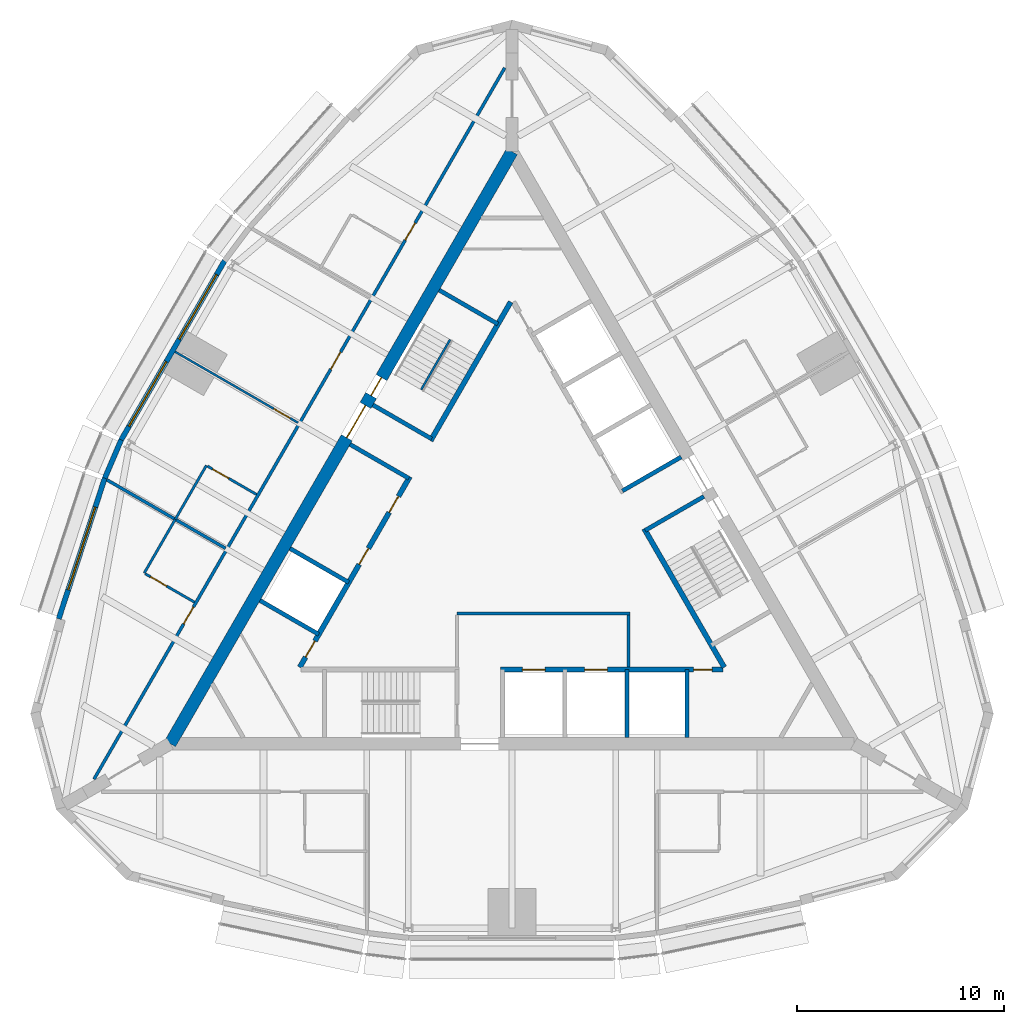
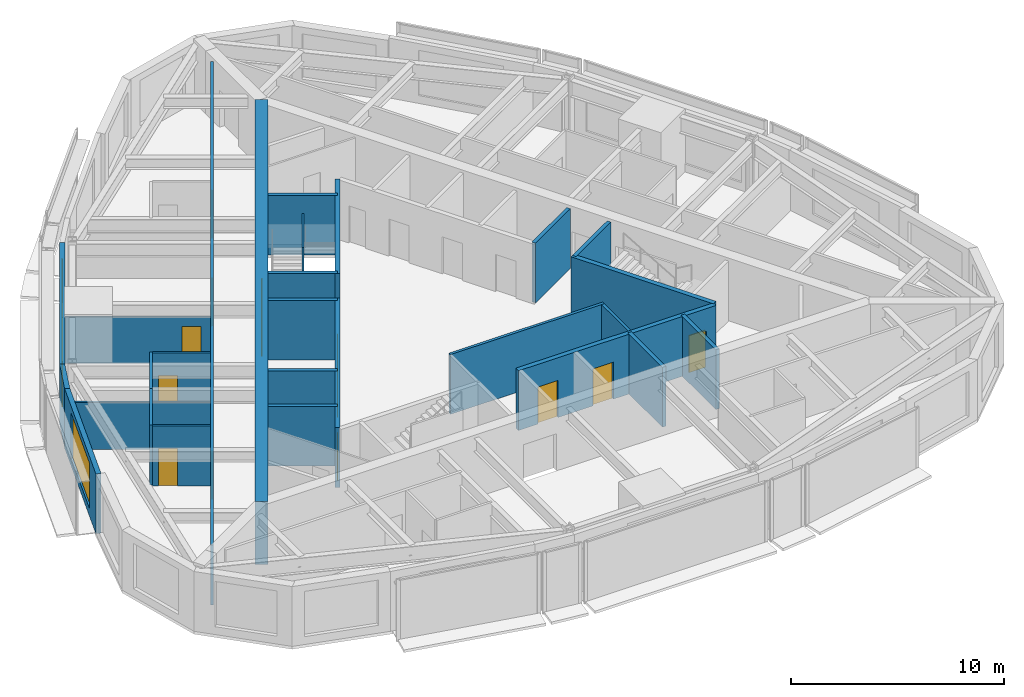
# One storey, part 8 of 12: 27 walls, 14 doors, 3 windows, 17 openings.
"""IFC4 building model written with IfcOpenShell, lengths in metres."""

import ifcopenshell
import ifcopenshell.guid

model = None  # the IFC model being written
_history = None  # IfcOwnerHistory: only IFC2X3 demands one
_inside = {}  # id of a spatial element -> (the spatial element, [elements in it])
_under = {}  # id of a project, library or spatial element -> (it, [spatial elements below it])
_declared = {}  # id of a project -> (the project, [libraries it declares])
_typed = {}  # id of a type object -> (the type object, [elements of that type])
_made_of = {}  # id of a material, layer set ... -> (it, [elements and type objects made of it])


def new_model(schema):
    """Start an empty IFC model of exactly this schema.

    Asked for "IFC4X3", IfcOpenShell would pick the latest addendum, in which some entities
    have other attributes; the version numbers below select the first issue.
    IFC2X3 requires an IfcOwnerHistory on every rooted entity: one is made here for all.
    """
    global model, _history
    if schema == "IFC4X3":
        model = ifcopenshell.file(schema_version=(4, 3, 0, 0))
    else:
        model = ifcopenshell.file(schema=schema)
    _inside.clear()
    _under.clear()
    _declared.clear()
    _typed.clear()
    _made_of.clear()
    _history = None
    if model.schema == "IFC2X3":
        org = make("IfcOrganization", Name="unknown")
        user = make(
            "IfcPersonAndOrganization",
            ThePerson=make("IfcPerson", FamilyName="unknown"),
            TheOrganization=org,
        )
        app = make(
            "IfcApplication",
            ApplicationDeveloper=org,
            Version="unknown",
            ApplicationFullName="unknown",
            ApplicationIdentifier="unknown",
        )
        _history = make(
            "IfcOwnerHistory",
            OwningUser=user,
            OwningApplication=app,
            ChangeAction="ADDED",
            CreationDate=0,
        )
    return model


def make(cls, **values):
    """One entity of the class cls with the attributes given. An attribute that is None is left unset."""
    return model.create_entity(
        cls, **{name: value for name, value in values.items() if value is not None}
    )


def rooted(cls, **values):
    """An entity with a GlobalId (a new one), such as an element, a storey or a relation."""
    return make(cls, GlobalId=ifcopenshell.guid.new(), OwnerHistory=_history, **values)


def si_unit(unit_type, name, prefix=None):
    """IfcSIUnit, for example si_unit("LENGTHUNIT", "METRE", prefix="MILLI")."""
    return make("IfcSIUnit", UnitType=unit_type, Prefix=prefix, Name=name)


def assignment(units):
    """IfcUnitAssignment: the units of a project."""
    return None if units is None else make("IfcUnitAssignment", Units=units)


def point(xyz):
    """IfcCartesianPoint."""
    return None if xyz is None else make("IfcCartesianPoint", Coordinates=xyz)


def direction(xyz):
    """IfcDirection."""
    return None if xyz is None else make("IfcDirection", DirectionRatios=xyz)


def frame(location, z_axis=None, x_axis=None):
    """IfcAxis2Placement3D, a coordinate frame: its origin and axes. An axis left out is left unset."""
    return make(
        "IfcAxis2Placement3D",
        Location=point(location),
        Axis=direction(z_axis),
        RefDirection=direction(x_axis),
    )


def frame_2d(location, x_axis=None):
    """IfcAxis2Placement2D, a coordinate frame in the plane: its origin and x axis."""
    return make(
        "IfcAxis2Placement2D", Location=point(location), RefDirection=direction(x_axis)
    )


def origin():
    """The frame at (0, 0, 0) with its axes left unset."""
    return frame((0.0, 0.0, 0.0))


def place(relative_to, where):
    """IfcLocalPlacement: puts the frame where relative to a parent placement (None: the world)."""
    return make(
        "IfcLocalPlacement", PlacementRelTo=relative_to, RelativePlacement=where
    )


def context(
    kind, dimensions, precision=None, world=None, true_north=None, identifier=None
):
    """IfcGeometricRepresentationContext, for example the 3D "Model" context."""
    return make(
        "IfcGeometricRepresentationContext",
        ContextIdentifier=identifier,
        ContextType=kind,
        CoordinateSpaceDimension=dimensions,
        Precision=precision,
        WorldCoordinateSystem=world,
        TrueNorth=true_north,
    )


def subcontext(parent, identifier, kind, view, scale=None):
    """IfcGeometricRepresentationSubContext, for example "Body" below "Model"."""
    return make(
        "IfcGeometricRepresentationSubContext",
        ContextIdentifier=identifier,
        ContextType=kind,
        ParentContext=parent,
        TargetScale=scale,
        TargetView=view,
    )


def project(units=None, contexts=None):
    """IfcProject with its units and contexts."""
    return rooted(
        "IfcProject",
        Name="project",
        RepresentationContexts=contexts,
        UnitsInContext=assignment(units),
    )


def spatial(cls, under=None, at=None, **own):
    """A site, building, storey or space (cls), placed at a placement, below another one or the project."""
    s = rooted(cls, ObjectPlacement=at, **own)
    if under is not None:
        _under.setdefault(under.id(), (under, []))[1].append(s)
    return s


def profile(cls, at=None, kind="AREA", **sizes):
    """A parametric profile (cls). Its sizes go by their IFC names, for example OverallWidth=200.0."""
    return make(cls, ProfileType=kind, Position=at, **sizes)


def rectangle(**sizes):
    """IfcRectangleProfileDef."""
    return profile("IfcRectangleProfileDef", **sizes)


def extrude(swept, where, along, depth):
    """IfcExtrudedAreaSolid: the profile swept, set in the frame where, extruded along a direction by depth."""
    return make(
        "IfcExtrudedAreaSolid",
        SweptArea=swept,
        Position=where,
        ExtrudedDirection=direction(along),
        Depth=depth,
    )


def shape(context_of_items, identifier, shape_type, items):
    """IfcShapeRepresentation: the items that make up one representation, for example the "Body"."""
    return make(
        "IfcShapeRepresentation",
        ContextOfItems=context_of_items,
        RepresentationIdentifier=identifier,
        RepresentationType=shape_type,
        Items=items,
    )


def material(Name=None, Category=None):
    """IfcMaterial."""
    return make("IfcMaterial", Name=Name, Category=Category)


def layer(
    of_material, thickness, ventilated=None, Name=None, Category=None, Priority=None
):
    """IfcMaterialLayer: one layer of a wall or slab, of a material (None: an air gap)."""
    return make(
        "IfcMaterialLayer",
        Material=of_material,
        LayerThickness=thickness,
        IsVentilated=ventilated,
        Name=Name,
        Category=Category,
        Priority=Priority,
    )


def layer_set(layers, Name=None):
    """IfcMaterialLayerSet."""
    return make("IfcMaterialLayerSet", MaterialLayers=layers, LayerSetName=Name)


def made_of(thing, what):
    """Note that an element or type object is made of a material, layer set ...; save() writes the relation."""
    if what is not None:
        _made_of.setdefault(what.id(), (what, []))[1].append(thing)
    return thing


def type_object(cls, material=None, **own):
    """A type object (cls), such as IfcWallType, which elements share."""
    return made_of(rooted(cls, **own), material)


def element(
    cls,
    number,
    at=None,
    inside=None,
    cuts=None,
    type_object=None,
    material=None,
    context=None,
    identifier="Body",
    shape_type=None,
    held_by="IfcProductDefinitionShape",
    body=None,
    shapes=None,
    **own,
):
    """One element of the class cls, such as IfcWall. Its Tag is "e" and its number.

    at: its placement. inside: the storey or other place that contains it. cuts: it is an
    opening in that element (IfcRelVoidsElement). A single representation is given by context,
    identifier, shape_type and body (its items); several are given by shapes. held_by: the class
    of the entity that holds the representations. save() writes the other relations.
    """
    e = rooted(cls, Tag="e%d" % number, ObjectPlacement=at, **own)
    if body is not None:
        shapes = [shape(context, identifier, shape_type, body)]
    if shapes is not None:
        e.Representation = make(held_by, Representations=shapes)
    if inside is not None:
        _inside.setdefault(inside.id(), (inside, []))[1].append(e)
    if cuts is not None:
        rooted(
            "IfcRelVoidsElement", RelatingBuildingElement=cuts, RelatedOpeningElement=e
        )
    if type_object is not None:
        _typed.setdefault(type_object.id(), (type_object, []))[1].append(e)
    return made_of(e, material)


def fill(opening, filler):
    """IfcRelFillsElement: the door or window that sits in an opening."""
    return rooted(
        "IfcRelFillsElement",
        RelatingOpeningElement=opening,
        RelatedBuildingElement=filler,
    )


def aggregate(whole, parts):
    """IfcRelAggregates: a whole, such as a stair, and the parts it consists of."""
    return rooted("IfcRelAggregates", RelatingObject=whole, RelatedObjects=parts)


def save(model, path):
    """Write the relations noted so far, then the file.

    IfcRelAggregates (storeys below a building ...), IfcRelContainedInSpatialStructure (elements
    in a storey), IfcRelDefinesByType, IfcRelAssociatesMaterial and IfcRelDeclares: one each for
    every whole, place, type object, material and project.
    """
    for whole, parts in _under.values():
        aggregate(whole, parts)
    for where, things in _inside.values():
        rooted(
            "IfcRelContainedInSpatialStructure",
            RelatedElements=things,
            RelatingStructure=where,
        )
    for kind, things in _typed.values():
        rooted("IfcRelDefinesByType", RelatedObjects=things, RelatingType=kind)
    for what, things in _made_of.values():
        rooted("IfcRelAssociatesMaterial", RelatedObjects=things, RelatingMaterial=what)
    for by, libraries in _declared.values():
        rooted("IfcRelDeclares", RelatingContext=by, RelatedDefinitions=libraries)
    model.write(path)


model = new_model("IFC4")

# Units and contexts
model_context = context("Model", 3, precision=1e-05, world=origin(), true_north=direction((0.0, 1.0)))
body_context = subcontext(model_context, "Body", "Model", "MODEL_VIEW")
ifc_project = project(units=[si_unit("LENGTHUNIT", "METRE"), si_unit("AREAUNIT", "SQUARE_METRE"), si_unit("VOLUMEUNIT", "CUBIC_METRE"), si_unit("PLANEANGLEUNIT", "RADIAN"), si_unit("MASSUNIT", "GRAM", prefix="KILO")], contexts=[model_context])

# Site, building, storey
site_placement = place(None, origin())
site = spatial("IfcSite", under=ifc_project, at=site_placement, CompositionType="ELEMENT")
building_placement = place(site_placement, origin())
building = spatial("IfcBuilding", under=site, at=building_placement, Name="Trikona Tower", CompositionType="ELEMENT")
storey_placement = place(building_placement, frame((0.0, 0.0, 250.10009765625)))
storey = spatial("IfcBuildingStorey", under=building, at=storey_placement, Name="L66", CompositionType="ELEMENT", Elevation=250.10009765625)

# Wall
ifc_material_1 = material(Name="Metal stud and cement board", Category="gypsum")
ifc_layer_1 = layer(ifc_material_1, 0.1201171875)
ifc_layer_set_1 = layer_set([ifc_layer_1], Name="Bathroom wall 120")
wall_type_1 = type_object("IfcWallType", Name="Bathroom wall 120", PredefinedType="PLUMBINGWALL", material=ifc_layer_set_1)
wall_1_placement = place(storey_placement, frame((-14.75341796875, 3.89892578125, 0.0), z_axis=(0.0, 0.0, 1.0), x_axis=(-0.50002537861, -0.866010750942, 0.0)))
element("IfcWall", 1, at=wall_1_placement, inside=storey, type_object=wall_type_1, Name="Bathroom wall 6606.1", PredefinedType="PLUMBINGWALL", context=body_context, shape_type="SweptSolid", body=[
    extrude(rectangle(XDim=2.999755859375, YDim=0.1201171875, at=frame_2d((1.5, 0.0))), origin(), (0.0, 0.0, 1.0), 3.434814453125),
])

# Wall, opening, door
wall_2_placement = place(storey_placement, frame((-12.32861328125, 2.4990234375, 0.0), z_axis=(0.0, 0.0, 1.0), x_axis=(-0.866035715982, 0.499982138324, 0.0)))
wall_2 = element("IfcWall", 2, at=wall_2_placement, inside=storey, type_object=wall_type_1, Name="Bathroom wall 6606.1", PredefinedType="PLUMBINGWALL", context=body_context, shape_type="SweptSolid", body=[
    extrude(rectangle(XDim=2.73974609375, YDim=0.1201171875, at=frame_2d((1.369873046875, 0.0))), origin(), (0.0, 0.0, 1.0), 3.434814453125),
])
opening_1_placement = place(wall_2_placement, frame((1.550048828125, 0.0, 0.0)))
opening_1 = element("IfcOpeningElement", 3, at=opening_1_placement, cuts=wall_2, Name="Opening D2", PredefinedType="OPENING", context=body_context, shape_type="SweptSolid", body=[
    extrude(rectangle(XDim=0.89990234375, YDim=2.1298828125, at=frame_2d((0.449951171875, 1.06494140625))), frame((0.0, 0.070068359375, 0.0), z_axis=(0.0, -1.0, 0.0), x_axis=(1.0, 0.0, 0.0)), (0.0, 0.0, 1.0), 0.14013671875),
])
ifc_material_2 = material(Name="Steel door frame with solid-core timber leaf", Category="steel")
door_type_1 = type_object("IfcDoorType", Name="Bathroom door 900x2130", OperationType="SLIDING_TO_LEFT", PredefinedType="DOOR", material=ifc_material_2)
door_1_placement = place(opening_1_placement, origin())
door_1 = element("IfcDoor", 4, at=door_1_placement, inside=storey, type_object=door_type_1, Name="Bathroom door 6606.1", OperationType="SLIDING_TO_LEFT", OverallHeight=2.1298828125, OverallWidth=0.89990234375, PredefinedType="DOOR", context=body_context, shape_type="SweptSolid", body=[
    extrude(rectangle(XDim=0.89990234375, YDim=2.1298828125, at=frame_2d((0.449951171875, 1.06494140625))), frame((0.0, 0.02490234375, 0.0), z_axis=(0.0, -1.0, 0.0), x_axis=(1.0, 0.0, 0.0)), (0.0, 0.0, 1.0), 0.050048828125),
])
fill(opening_1, door_1)

# Wall
wall_3_placement = place(storey_placement, frame((-16.25341796875, 1.301025390625, 0.0), z_axis=(0.0, 0.0, 1.0), x_axis=(-0.499990139034, -0.866031096941, 0.0)))
element("IfcWall", 5, at=wall_3_placement, inside=storey, type_object=wall_type_1, Name="Bathroom wall 6607", PredefinedType="PLUMBINGWALL", context=body_context, shape_type="SweptSolid", body=[
    extrude(rectangle(XDim=3.0, YDim=0.1201171875, at=frame_2d((1.5, 0.0))), origin(), (0.0, 0.0, 1.0), 3.434814453125),
])

# Wall, opening, door
wall_4_placement = place(storey_placement, frame((-15.32861328125, -2.697021484375, 0.0), z_axis=(0.0, 0.0, 1.0), x_axis=(-0.866035715982, 0.499982138324, 0.0)))
wall_4 = element("IfcWall", 6, at=wall_4_placement, inside=storey, type_object=wall_type_1, Name="Bathroom wall 6607", PredefinedType="PLUMBINGWALL", context=body_context, shape_type="SweptSolid", body=[
    extrude(rectangle(XDim=2.73974609375, YDim=0.1201171875, at=frame_2d((1.369873046875, 0.0))), origin(), (0.0, 0.0, 1.0), 3.434814453125),
])
opening_2_placement = place(wall_4_placement, frame((1.550048828125, 0.0, 0.0)))
opening_2 = element("IfcOpeningElement", 7, at=opening_2_placement, cuts=wall_4, Name="Opening D2", PredefinedType="OPENING", context=body_context, shape_type="SweptSolid", body=[
    extrude(rectangle(XDim=0.89990234375, YDim=2.1298828125, at=frame_2d((0.449951171875, 1.06494140625))), frame((0.0, 0.070068359375, 0.0), z_axis=(0.0, -1.0, 0.0), x_axis=(1.0, 0.0, 0.0)), (0.0, 0.0, 1.0), 0.14013671875),
])
door_2_placement = place(opening_2_placement, origin())
door_2 = element("IfcDoor", 8, at=door_2_placement, inside=storey, type_object=door_type_1, Name="Bathroom door 6607", OperationType="SLIDING_TO_LEFT", OverallHeight=2.1298828125, OverallWidth=0.89990234375, PredefinedType="DOOR", context=body_context, shape_type="SweptSolid", body=[
    extrude(rectangle(XDim=0.89990234375, YDim=2.1298828125, at=frame_2d((0.449951171875, 1.06494140625))), frame((0.0, 0.02490234375, 0.0), z_axis=(0.0, -1.0, 0.0), x_axis=(1.0, 0.0, 0.0)), (0.0, 0.0, 1.0), 0.050048828125),
])
fill(opening_2, door_2)

# Wall, openings, doors
ifc_material_3 = material(Name="Concrete f'c 10000 psi", Category="concrete")
ifc_layer_2 = layer(ifc_material_3, 0.60009765625)
ifc_layer_set_2 = layer_set([ifc_layer_2], Name="Core wall 600")
wall_type_2 = type_object("IfcWallType", Name="Core wall 600", PredefinedType="SHEAR", material=ifc_layer_set_2)
wall_5_placement = place(storey_placement, frame((0.0, 19.052490234375, 0.0), z_axis=(0.0, 0.0, 1.0), x_axis=(-0.499999749417, -0.866025548458, 0.0)))
wall_5 = element("IfcWall", 9, at=wall_5_placement, inside=storey, type_object=wall_type_2, Name="Core wall C", PredefinedType="SHEAR", context=body_context, shape_type="SweptSolid", body=[
    extrude(rectangle(XDim=33.0, YDim=0.60009765625, at=frame_2d((16.5, 0.0))), origin(), (0.0, 0.0, 1.0), 3.599853515625),
])
opening_3_placement = place(wall_5_placement, frame((14.14990234375, 0.0, 0.0)))
opening_3 = element("IfcOpeningElement", 10, at=opening_3_placement, cuts=wall_5, Name="Opening D6", PredefinedType="OPENING", context=body_context, shape_type="SweptSolid", body=[
    extrude(rectangle(XDim=1.800048828125, YDim=2.1298828125, at=frame_2d((0.89990234375, 1.06494140625))), frame((0.0, 0.31005859375, 0.0), z_axis=(0.0, -1.0, 0.0), x_axis=(1.0, 0.0, 0.0)), (0.0, 0.0, 1.0), 0.6201171875),
])
opening_4_placement = place(wall_5_placement, frame((12.60009765625, 0.0, 0.0)))
opening_4 = element("IfcOpeningElement", 11, at=opening_4_placement, cuts=wall_5, Name="Opening D5", PredefinedType="OPENING", context=body_context, shape_type="SweptSolid", body=[
    extrude(rectangle(XDim=1.0, YDim=2.1298828125, at=frame_2d((0.5, 1.06494140625))), frame((0.0, 0.31005859375, 0.0), z_axis=(0.0, -1.0, 0.0), x_axis=(1.0, 0.0, 0.0)), (0.0, 0.0, 1.0), 0.6201171875),
])
ifc_material_4 = material(Name="Hollow metal door and frame", Category="steel")
door_type_2 = type_object("IfcDoorType", Name="Lobby door pair 1800x2130", OperationType="DOUBLE_DOOR_SINGLE_SWING", PredefinedType="DOOR", material=ifc_material_4)
door_3_placement = place(opening_3_placement, origin())
door_3 = element("IfcDoor", 12, at=door_3_placement, inside=storey, type_object=door_type_2, Name="Lift lobby door C", OperationType="DOUBLE_DOOR_SINGLE_SWING", OverallHeight=2.1298828125, OverallWidth=1.800048828125, PredefinedType="DOOR", context=body_context, shape_type="SweptSolid", body=[
    extrude(rectangle(XDim=1.800048828125, YDim=2.1298828125, at=frame_2d((0.89990234375, 1.06494140625))), frame((0.0, 0.02490234375, 0.0), z_axis=(0.0, -1.0, 0.0), x_axis=(1.0, 0.0, 0.0)), (0.0, 0.0, 1.0), 0.050048828125),
])
fill(opening_3, door_3)
ifc_material_5 = material(Name="Hollow metal door and frame", Category="steel")
door_type_3 = type_object("IfcDoorType", Name="Stair door 1000x2130", OperationType="SINGLE_SWING_LEFT", PredefinedType="DOOR", material=ifc_material_5)
door_4_placement = place(opening_4_placement, origin())
door_4 = element("IfcDoor", 13, at=door_4_placement, inside=storey, type_object=door_type_3, Name="Stair C door", OperationType="SINGLE_SWING_RIGHT", OverallHeight=2.1298828125, OverallWidth=1.0, PredefinedType="DOOR", context=body_context, shape_type="SweptSolid", body=[
    extrude(rectangle(XDim=1.0, YDim=2.1298828125, at=frame_2d((0.5, 1.06494140625))), frame((0.0, 0.02490234375, 0.0), z_axis=(0.0, -1.0, 0.0), x_axis=(1.0, 0.0, 0.0)), (0.0, 0.0, 1.0), 0.050048828125),
])
fill(opening_4, door_4)

ifc_material_6 = material(Name="Metal stud and gypsum board, 1-hour", Category="gypsum")
ifc_layer_3 = layer(ifc_material_6, 0.14990234375)
ifc_layer_set_3 = layer_set([ifc_layer_3], Name="Corridor wall 150")
wall_type_3 = type_object("IfcWallType", Name="Corridor wall 150", PredefinedType="PARTITIONING", material=ifc_layer_set_3)
wall_6_placement = place(storey_placement, frame((-0.35009765625, 23.09619140625, 0.0), z_axis=(0.0, 0.0, 1.0), x_axis=(-0.499998875317, -0.866026053119, 0.0)))
wall_6 = element("IfcWall", 14, at=wall_6_placement, inside=storey, type_object=wall_type_3, Name="Corridor wall L66-3", PredefinedType="PARTITIONING", context=body_context, shape_type="SweptSolid", body=[
    extrude(rectangle(XDim=39.65380859375, YDim=0.14990234375, at=frame_2d((19.826904296875, 0.0))), origin(), (0.0, 0.0, 1.0), 3.434814453125),
])
opening_5_placement = place(wall_6_placement, frame((8.652099609375, 0.0, 0.0)))
opening_5 = element("IfcOpeningElement", 15, at=opening_5_placement, cuts=wall_6, Name="Opening D1", PredefinedType="OPENING", context=body_context, shape_type="SweptSolid", body=[
    extrude(rectangle(XDim=0.949951171875, YDim=2.1298828125, at=frame_2d((0.47509765625, 1.06494140625))), frame((0.0, 0.0849609375, 0.0), z_axis=(0.0, -1.0, 0.0), x_axis=(1.0, 0.0, 0.0)), (0.0, 0.0, 1.0), 0.169921875),
])
opening_6_placement = place(wall_6_placement, frame((15.85205078125, 0.0, 0.0)))
opening_6 = element("IfcOpeningElement", 16, at=opening_6_placement, cuts=wall_6, Name="Opening D1", PredefinedType="OPENING", context=body_context, shape_type="SweptSolid", body=[
    extrude(rectangle(XDim=0.949951171875, YDim=2.1298828125, at=frame_2d((0.47509765625, 1.06494140625))), frame((0.0, 0.0849609375, 0.0), z_axis=(0.0, -1.0, 0.0), x_axis=(1.0, 0.0, 0.0)), (0.0, 0.0, 1.0), 0.169921875),
])
opening_7_placement = place(wall_6_placement, frame((30.052001953125, 0.0, 0.0)))
opening_7 = element("IfcOpeningElement", 17, at=opening_7_placement, cuts=wall_6, Name="Opening D1", PredefinedType="OPENING", context=body_context, shape_type="SweptSolid", body=[
    extrude(rectangle(XDim=0.949951171875, YDim=2.1298828125, at=frame_2d((0.47509765625, 1.06494140625))), frame((0.0, 0.0849609375, 0.0), z_axis=(0.0, -1.0, 0.0), x_axis=(1.0, 0.0, 0.0)), (0.0, 0.0, 1.0), 0.169921875),
])
ifc_material_7 = material(Name="Steel door frame with solid-core timber leaf", Category="steel")
door_type_4 = type_object("IfcDoorType", Name="Guest room door 950x2130", OperationType="SINGLE_SWING_LEFT", PredefinedType="DOOR", material=ifc_material_7)
door_5_placement = place(opening_5_placement, origin())
door_5 = element("IfcDoor", 18, at=door_5_placement, inside=storey, type_object=door_type_4, Name="Room door 6605", OperationType="SINGLE_SWING_LEFT", OverallHeight=2.1298828125, OverallWidth=0.949951171875, PredefinedType="DOOR", context=body_context, shape_type="SweptSolid", body=[
    extrude(rectangle(XDim=0.949951171875, YDim=2.1298828125, at=frame_2d((0.47509765625, 1.06494140625))), frame((0.0, 0.02490234375, 0.0), z_axis=(0.0, -1.0, 0.0), x_axis=(1.0, 0.0, 0.0)), (0.0, 0.0, 1.0), 0.050048828125),
])
fill(opening_5, door_5)
door_6_placement = place(opening_6_placement, origin())
door_6 = element("IfcDoor", 19, at=door_6_placement, inside=storey, type_object=door_type_4, Name="Room door 6606", OperationType="SINGLE_SWING_RIGHT", OverallHeight=2.1298828125, OverallWidth=0.949951171875, PredefinedType="DOOR", context=body_context, shape_type="SweptSolid", body=[
    extrude(rectangle(XDim=0.949951171875, YDim=2.1298828125, at=frame_2d((0.47509765625, 1.06494140625))), frame((0.0, 0.02490234375, 0.0), z_axis=(0.0, -1.0, 0.0), x_axis=(1.0, 0.0, 0.0)), (0.0, 0.0, 1.0), 0.050048828125),
])
fill(opening_6, door_6)
door_7_placement = place(opening_7_placement, origin())
door_7 = element("IfcDoor", 20, at=door_7_placement, inside=storey, type_object=door_type_4, Name="Room door 6607", OperationType="SINGLE_SWING_LEFT", OverallHeight=2.1298828125, OverallWidth=0.949951171875, PredefinedType="DOOR", context=body_context, shape_type="SweptSolid", body=[
    extrude(rectangle(XDim=0.949951171875, YDim=2.1298828125, at=frame_2d((0.47509765625, 1.06494140625))), frame((0.0, 0.02490234375, 0.0), z_axis=(0.0, -1.0, 0.0), x_axis=(1.0, 0.0, 0.0)), (0.0, 0.0, 1.0), 0.050048828125),
])
fill(opening_7, door_7)

ifc_material_8 = material(Name="Concrete f'c 8000 psi", Category="concrete")
ifc_layer_4 = layer(ifc_material_8, 0.25)
ifc_layer_set_4 = layer_set([ifc_layer_4], Name="Hub wall 250")
wall_type_4 = type_object("IfcWallType", Name="Hub wall 250", PredefinedType="SOLIDWALL", material=ifc_layer_set_4)
wall_7_placement = place(storey_placement, frame((-0.550048828125, -5.951416015625, 0.0), z_axis=(0.0, 0.0, 1.0), x_axis=(1.0, 0.0, 0.0)))
wall_7 = element("IfcWall", 21, at=wall_7_placement, inside=storey, type_object=wall_type_4, Name="Lift lobby wall A2", PredefinedType="SOLIDWALL", context=body_context, shape_type="SweptSolid", body=[
    extrude(rectangle(XDim=10.73291015625, YDim=0.25, at=frame_2d((5.366455078125, 0.0))), origin(), (0.0, 0.0, 1.0), 3.434814453125),
])
opening_8_placement = place(wall_7_placement, frame((9.31396484375, 0.0, 0.0)))
opening_8 = element("IfcOpeningElement", 22, at=opening_8_placement, cuts=wall_7, Name="Opening D14", PredefinedType="OPENING", context=body_context, shape_type="SweptSolid", body=[
    extrude(rectangle(XDim=0.89990234375, YDim=2.1298828125, at=frame_2d((0.449951171875, 1.06494140625))), frame((0.0, 0.135009765625, 0.0), z_axis=(0.0, -1.0, 0.0), x_axis=(1.0, 0.0, 0.0)), (0.0, 0.0, 1.0), 0.27001953125),
])
opening_9_placement = place(wall_7_placement, frame((1.050048828125, 0.0, 0.0)))
opening_9 = element("IfcOpeningElement", 23, at=opening_9_placement, cuts=wall_7, Name="Opening LD", PredefinedType="OPENING", context=body_context, shape_type="SweptSolid", body=[
    extrude(rectangle(XDim=1.10009765625, YDim=2.1298828125, at=frame_2d((0.550048828125, 1.06494140625))), frame((0.0, 0.135009765625, 0.0), z_axis=(0.0, -1.0, 0.0), x_axis=(1.0, 0.0, 0.0)), (0.0, 0.0, 1.0), 0.27001953125),
])
opening_10_placement = place(wall_7_placement, frame((4.050048828125, 0.0, 0.0)))
opening_10 = element("IfcOpeningElement", 24, at=opening_10_placement, cuts=wall_7, Name="Opening LD", PredefinedType="OPENING", context=body_context, shape_type="SweptSolid", body=[
    extrude(rectangle(XDim=1.10009765625, YDim=2.1298828125, at=frame_2d((0.550048828125, 1.06494140625))), frame((0.0, 0.135009765625, 0.0), z_axis=(0.0, -1.0, 0.0), x_axis=(1.0, 0.0, 0.0)), (0.0, 0.0, 1.0), 0.27001953125),
])
ifc_material_9 = material(Name="Stainless steel lift landing door", Category="steel")
door_type_5 = type_object("IfcDoorType", Name="Lift landing door 1100x2130", OperationType="DOUBLE_DOOR_SLIDING", PredefinedType="USERDEFINED", material=ifc_material_9)
door_8_placement = place(opening_9_placement, origin())
door_8 = element("IfcDoor", 25, at=door_8_placement, inside=storey, type_object=door_type_5, Name="Lift landing door FF1", ObjectType="LIFT LANDING DOOR", OperationType="DOUBLE_DOOR_SLIDING", OverallHeight=2.1298828125, OverallWidth=1.10009765625, PredefinedType="USERDEFINED", context=body_context, shape_type="SweptSolid", body=[
    extrude(rectangle(XDim=1.10009765625, YDim=2.1298828125, at=frame_2d((0.550048828125, 1.06494140625))), frame((0.0, 0.02490234375, 0.0), z_axis=(0.0, -1.0, 0.0), x_axis=(1.0, 0.0, 0.0)), (0.0, 0.0, 1.0), 0.050048828125),
])
fill(opening_9, door_8)
door_9_placement = place(opening_10_placement, origin())
door_9 = element("IfcDoor", 26, at=door_9_placement, inside=storey, type_object=door_type_5, Name="Lift landing door FF2", ObjectType="LIFT LANDING DOOR", OperationType="DOUBLE_DOOR_SLIDING", OverallHeight=2.1298828125, OverallWidth=1.10009765625, PredefinedType="USERDEFINED", context=body_context, shape_type="SweptSolid", body=[
    extrude(rectangle(XDim=1.10009765625, YDim=2.1298828125, at=frame_2d((0.550048828125, 1.06494140625))), frame((0.0, 0.02490234375, 0.0), z_axis=(0.0, -1.0, 0.0), x_axis=(1.0, 0.0, 0.0)), (0.0, 0.0, 1.0), 0.050048828125),
])
fill(opening_10, door_9)
ifc_material_10 = material(Name="Hollow metal door and frame", Category="steel")
door_type_6 = type_object("IfcDoorType", Name="Service room door 900x2130", OperationType="SINGLE_SWING_LEFT", PredefinedType="DOOR", material=ifc_material_10)
door_10_placement = place(opening_8_placement, origin())
door_10 = element("IfcDoor", 27, at=door_10_placement, inside=storey, type_object=door_type_6, Name="Door Ice and vending ICE", OperationType="SINGLE_SWING_RIGHT", OverallHeight=2.1298828125, OverallWidth=0.89990234375, PredefinedType="DOOR", context=body_context, shape_type="SweptSolid", body=[
    extrude(rectangle(XDim=0.89990234375, YDim=2.1298828125, at=frame_2d((0.449951171875, 1.06494140625))), frame((0.0, 0.02490234375, 0.0), z_axis=(0.0, -1.0, 0.0), x_axis=(1.0, 0.0, 0.0)), (0.0, 0.0, 1.0), 0.050048828125),
])
fill(opening_8, door_10)

# Walls
for number, where, z_axis, x_axis, name in (
    (28, (10.245361328125, -5.843017578125, 0.0), (0.0, 0.0, 1.0), (-0.499993009313, 0.866029439822, 0.0), "Lift lobby wall B1"),
    (29, (-0.0625, 11.794189453125, 0.0), (0.0, 0.0, 1.0), (-0.500006680225, -0.86602154692, 0.0), "Lift lobby wall C1"),
):
    element("IfcWall", number, at=place(storey_placement, frame(where, z_axis=z_axis, x_axis=x_axis)), inside=storey, type_object=wall_type_4, Name=name, PredefinedType="SOLIDWALL", context=body_context, shape_type="SweptSolid", body=[
        extrude(rectangle(XDim=7.73291015625, YDim=0.25, at=frame_2d((3.866455078125, 0.0))), origin(), (0.0, 0.0, 1.0), 3.434814453125),
    ])

# Wall, openings, doors
wall_8_placement = place(storey_placement, frame((-4.928955078125, 3.365478515625, 0.0), z_axis=(0.0, 0.0, 1.0), x_axis=(-0.499991433582, -0.866030349552, 0.0)))
wall_8 = element("IfcWall", 30, at=wall_8_placement, inside=storey, type_object=wall_type_4, Name="Lift lobby wall C2", PredefinedType="SOLIDWALL", context=body_context, shape_type="SweptSolid", body=[
    extrude(rectangle(XDim=10.633056640625, YDim=0.25, at=frame_2d((5.31640625, 0.0))), origin(), (0.0, 0.0, 1.0), 3.434814453125),
])
opening_11_placement = place(wall_8_placement, frame((9.1640625, 0.0, 0.0)))
opening_11 = element("IfcOpeningElement", 31, at=opening_11_placement, cuts=wall_8, Name="Opening D14", PredefinedType="OPENING", context=body_context, shape_type="SweptSolid", body=[
    extrude(rectangle(XDim=0.89990234375, YDim=2.1298828125, at=frame_2d((0.449951171875, 1.06494140625))), frame((0.0, 0.135009765625, 0.0), z_axis=(0.0, -1.0, 0.0), x_axis=(1.0, 0.0, 0.0)), (0.0, 0.0, 1.0), 0.27001953125),
])
opening_12_placement = place(wall_8_placement, frame((1.10009765625, 0.0, 0.0)))
opening_12 = element("IfcOpeningElement", 32, at=opening_12_placement, cuts=wall_8, Name="Opening D14", PredefinedType="OPENING", context=body_context, shape_type="SweptSolid", body=[
    extrude(rectangle(XDim=0.89990234375, YDim=2.1298828125, at=frame_2d((0.449951171875, 1.06494140625))), frame((0.0, 0.135009765625, 0.0), z_axis=(0.0, -1.0, 0.0), x_axis=(1.0, 0.0, 0.0)), (0.0, 0.0, 1.0), 0.27001953125),
])
opening_13_placement = place(wall_8_placement, frame((4.0, 0.0, 0.0)))
opening_13 = element("IfcOpeningElement", 33, at=opening_13_placement, cuts=wall_8, Name="Opening D14", PredefinedType="OPENING", context=body_context, shape_type="SweptSolid", body=[
    extrude(rectangle(XDim=0.89990234375, YDim=2.1298828125, at=frame_2d((0.449951171875, 1.06494140625))), frame((0.0, 0.135009765625, 0.0), z_axis=(0.0, -1.0, 0.0), x_axis=(1.0, 0.0, 0.0)), (0.0, 0.0, 1.0), 0.27001953125),
])
door_11_placement = place(opening_11_placement, origin())
door_11 = element("IfcDoor", 34, at=door_11_placement, inside=storey, type_object=door_type_6, Name="Door Housekeeping store HKS", OperationType="SINGLE_SWING_RIGHT", OverallHeight=2.1298828125, OverallWidth=0.89990234375, PredefinedType="DOOR", context=body_context, shape_type="SweptSolid", body=[
    extrude(rectangle(XDim=0.89990234375, YDim=2.1298828125, at=frame_2d((0.449951171875, 1.06494140625))), frame((0.0, 0.02490234375, 0.0), z_axis=(0.0, -1.0, 0.0), x_axis=(1.0, 0.0, 0.0)), (0.0, 0.0, 1.0), 0.050048828125),
])
fill(opening_11, door_11)
door_12_placement = place(opening_12_placement, origin())
door_12 = element("IfcDoor", 35, at=door_12_placement, inside=storey, type_object=door_type_6, Name="Door IT and communications room ITC1", OperationType="SINGLE_SWING_LEFT", OverallHeight=2.1298828125, OverallWidth=0.89990234375, PredefinedType="DOOR", context=body_context, shape_type="SweptSolid", body=[
    extrude(rectangle(XDim=0.89990234375, YDim=2.1298828125, at=frame_2d((0.449951171875, 1.06494140625))), frame((0.0, 0.02490234375, 0.0), z_axis=(0.0, -1.0, 0.0), x_axis=(1.0, 0.0, 0.0)), (0.0, 0.0, 1.0), 0.050048828125),
])
fill(opening_12, door_12)
door_13_placement = place(opening_13_placement, origin())
door_13 = element("IfcDoor", 36, at=door_13_placement, inside=storey, type_object=door_type_6, Name="Door IT and communications room ITC1", OperationType="SINGLE_SWING_RIGHT", OverallHeight=2.1298828125, OverallWidth=0.89990234375, PredefinedType="DOOR", context=body_context, shape_type="SweptSolid", body=[
    extrude(rectangle(XDim=0.89990234375, YDim=2.1298828125, at=frame_2d((0.449951171875, 1.06494140625))), frame((0.0, 0.02490234375, 0.0), z_axis=(0.0, -1.0, 0.0), x_axis=(1.0, 0.0, 0.0)), (0.0, 0.0, 1.0), 0.050048828125),
])
fill(opening_13, door_13)

# Wall, openings, windows
ifc_material_11 = material(Name="Insulated precast concrete spandrel panel", Category="concrete")
ifc_layer_5 = layer(ifc_material_11, 0.25)
ifc_layer_set_5 = layer_set([ifc_layer_5], Name="Inner skin wall 250")
wall_type_5 = type_object("IfcWallType", Name="Inner skin wall 250", PredefinedType="STANDARD", material=ifc_layer_set_5)
wall_9_placement = place(storey_placement, frame((-13.87255859375, 13.782958984375, 0.0), z_axis=(0.0, 0.0, 1.0), x_axis=(-0.499993662806, -0.866029062534, 0.0)))
wall_9 = element("IfcWall", 37, at=wall_9_placement, inside=storey, type_object=wall_type_5, Name="External wall L66-20", PredefinedType="STANDARD", context=body_context, shape_type="SweptSolid", body=[
    extrude(rectangle(XDim=10.000244140625, YDim=0.25, at=frame_2d((5.0, 0.0))), origin(), (0.0, 0.0, 1.0), 3.434814453125),
])
opening_14_placement = place(wall_9_placement, frame((0.77490234375, 0.0, 0.449951171875)))
opening_14 = element("IfcOpeningElement", 38, at=opening_14_placement, cuts=wall_9, Name="Opening W3626", PredefinedType="OPENING", context=body_context, shape_type="SweptSolid", body=[
    extrude(rectangle(XDim=3.60009765625, YDim=2.60009765625, at=frame_2d((1.800048828125, 1.300048828125))), frame((0.0, 0.135009765625, 0.0), z_axis=(0.0, -1.0, 0.0), x_axis=(1.0, 0.0, 0.0)), (0.0, 0.0, 1.0), 0.27001953125),
])
opening_15_placement = place(wall_9_placement, frame((5.625, 0.0, 0.449951171875)))
opening_15 = element("IfcOpeningElement", 39, at=opening_15_placement, cuts=wall_9, Name="Opening W3626", PredefinedType="OPENING", context=body_context, shape_type="SweptSolid", body=[
    extrude(rectangle(XDim=3.60009765625, YDim=2.60009765625, at=frame_2d((1.800048828125, 1.300048828125))), frame((0.0, 0.135009765625, 0.0), z_axis=(0.0, -1.0, 0.0), x_axis=(1.0, 0.0, 0.0)), (0.0, 0.0, 1.0), 0.27001953125),
])
ifc_material_12 = material(Name="Aluminium-framed double glazing", Category="aluminium")
window_type_1 = type_object("IfcWindowType", Name="Window 3600x2600", PartitioningType="SINGLE_PANEL", PredefinedType="WINDOW", material=ifc_material_12)
window_1_placement = place(opening_14_placement, origin())
window_1 = element("IfcWindow", 40, at=window_1_placement, inside=storey, type_object=window_type_1, Name="Window 6606", OverallHeight=2.60009765625, OverallWidth=3.60009765625, PartitioningType="SINGLE_PANEL", PredefinedType="WINDOW", context=body_context, shape_type="SweptSolid", body=[
    extrude(rectangle(XDim=3.60009765625, YDim=2.60009765625, at=frame_2d((1.800048828125, 1.300048828125))), frame((0.0, 0.030029296875, 0.0), z_axis=(0.0, -1.0, 0.0), x_axis=(1.0, 0.0, 0.0)), (0.0, 0.0, 1.0), 0.06005859375),
])
fill(opening_14, window_1)
window_2_placement = place(opening_15_placement, origin())
window_2 = element("IfcWindow", 41, at=window_2_placement, inside=storey, type_object=window_type_1, Name="Window 6606.1", OverallHeight=2.60009765625, OverallWidth=3.60009765625, PartitioningType="SINGLE_PANEL", PredefinedType="WINDOW", context=body_context, shape_type="SweptSolid", body=[
    extrude(rectangle(XDim=3.60009765625, YDim=2.60009765625, at=frame_2d((1.800048828125, 1.300048828125))), frame((0.0, 0.030029296875, 0.0), z_axis=(0.0, -1.0, 0.0), x_axis=(1.0, 0.0, 0.0)), (0.0, 0.0, 1.0), 0.06005859375),
])
fill(opening_15, window_2)

# Wall
wall_10_placement = place(storey_placement, frame((-18.865966796875, 5.135986328125, 0.0), z_axis=(0.0, 0.0, 1.0), x_axis=(-0.393290226175, -0.91941437774, 0.0)))
element("IfcWall", 42, at=wall_10_placement, inside=storey, type_object=wall_type_5, Name="External wall L66-21", PredefinedType="STANDARD", context=body_context, shape_type="SweptSolid", body=[
    extrude(rectangle(XDim=2.014404296875, YDim=0.25, at=frame_2d((1.00732421875, 0.0))), origin(), (0.0, 0.0, 1.0), 3.434814453125),
])

# Wall, opening, window
wall_11_placement = place(storey_placement, frame((-19.654296875, 3.294189453125, 0.0), z_axis=(0.0, 0.0, 1.0), x_axis=(-0.311328857048, -0.95030223759, 0.0)))
wall_11 = element("IfcWall", 43, at=wall_11_placement, inside=storey, type_object=wall_type_5, Name="External wall L66-22", PredefinedType="STANDARD", context=body_context, shape_type="SweptSolid", body=[
    extrude(rectangle(XDim=7.152587890625, YDim=0.25, at=frame_2d((3.576171875, 0.0))), origin(), (0.0, 0.0, 1.0), 3.434814453125),
])
opening_16_placement = place(wall_11_placement, frame((1.476318359375, 0.0, 0.449951171875)))
opening_16 = element("IfcOpeningElement", 44, at=opening_16_placement, cuts=wall_11, Name="Opening W4226", PredefinedType="OPENING", context=body_context, shape_type="SweptSolid", body=[
    extrude(rectangle(XDim=4.199951171875, YDim=2.60009765625, at=frame_2d((2.10009765625, 1.300048828125))), frame((0.0, 0.135009765625, 0.0), z_axis=(0.0, -1.0, 0.0), x_axis=(1.0, 0.0, 0.0)), (0.0, 0.0, 1.0), 0.27001953125),
])
ifc_material_13 = material(Name="Aluminium-framed double glazing", Category="aluminium")
window_type_2 = type_object("IfcWindowType", Name="Window 4200x2600", PartitioningType="SINGLE_PANEL", PredefinedType="WINDOW", material=ifc_material_13)
window_3_placement = place(opening_16_placement, origin())
window_3 = element("IfcWindow", 45, at=window_3_placement, inside=storey, type_object=window_type_2, Name="Window 6607", OverallHeight=2.60009765625, OverallWidth=4.199951171875, PartitioningType="SINGLE_PANEL", PredefinedType="WINDOW", context=body_context, shape_type="SweptSolid", body=[
    extrude(rectangle(XDim=4.199951171875, YDim=2.60009765625, at=frame_2d((2.10009765625, 1.300048828125))), frame((0.0, 0.030029296875, 0.0), z_axis=(0.0, -1.0, 0.0), x_axis=(1.0, 0.0, 0.0)), (0.0, 0.0, 1.0), 0.06005859375),
])
fill(opening_16, window_3)

# Walls
ifc_material_14 = material(Name="Metal stud and gypsum board, 2-hour shaft wall", Category="gypsum")
ifc_layer_6 = layer(ifc_material_14, 0.14990234375)
ifc_layer_set_6 = layer_set([ifc_layer_6], Name="Lobby wall 150")
wall_type_6 = type_object("IfcWallType", Name="Lobby wall 150", PredefinedType="PARTITIONING", material=ifc_layer_set_6)
wall_12_placement = place(storey_placement, frame((-2.64990234375, -3.251220703125, 0.0), z_axis=(0.0, 0.0, 1.0), x_axis=(1.0, 0.0, 0.0)))
element("IfcWall", 46, at=wall_12_placement, inside=storey, type_object=wall_type_6, Name="Fire service lift lobby wall 1", PredefinedType="PARTITIONING", context=body_context, shape_type="SweptSolid", body=[
    extrude(rectangle(XDim=8.349853515625, YDim=0.14990234375, at=frame_2d((4.1748046875, 0.0))), origin(), (0.0, 0.0, 1.0), 3.434814453125),
])
wall_13_placement = place(storey_placement, frame((5.625, -5.826416015625, 0.0), z_axis=(0.0, 0.0, 1.0), x_axis=(0.0, 1.0, 0.0)))
element("IfcWall", 47, at=wall_13_placement, inside=storey, type_object=wall_type_6, Name="Fire service lift lobby wall 3", PredefinedType="PARTITIONING", context=body_context, shape_type="SweptSolid", body=[
    extrude(rectangle(XDim=2.5, YDim=0.14990234375, at=frame_2d((1.25, 0.0))), origin(), (0.0, 0.0, 1.0), 3.434814453125),
])
ifc_material_15 = material(Name="Metal stud and gypsum board, 1-hour acoustic", Category="gypsum")
ifc_layer_7 = layer(ifc_material_15, 0.14990234375)
ifc_layer_set_7 = layer_set([ifc_layer_7], Name="Party wall 150")
wall_type_7 = type_object("IfcWallType", Name="Party wall 150", PredefinedType="PARTITIONING", material=ifc_layer_set_7)
wall_14_placement = place(storey_placement, frame((-13.82861328125, -0.09912109375, 0.0), z_axis=(0.0, 0.0, 1.0), x_axis=(-0.866022562216, 0.500004921708, 0.0)))
element("IfcWall", 48, at=wall_14_placement, inside=storey, type_object=wall_type_7, Name="Partition L66 F3 u7", PredefinedType="PARTITIONING", context=body_context, shape_type="SweptSolid", body=[
    extrude(rectangle(XDim=6.60888671875, YDim=0.14990234375, at=frame_2d((3.304443359375, 0.0))), origin(), (0.0, 0.0, 1.0), 2.677978515625),
])
ifc_material_16 = material(Name="Concrete f'c 8000 psi", Category="concrete")
ifc_layer_8 = layer(ifc_material_16, 0.199951171875)
ifc_layer_set_8 = layer_set([ifc_layer_8], Name="Shaft wall 200")
wall_type_8 = type_object("IfcWallType", Name="Shaft wall 200", PredefinedType="SOLIDWALL", material=ifc_layer_set_8)
for number, where, z_axis, x_axis, name in (
    (49, (5.550048828125, -5.951416015625, 0.0), (0.0, 0.0, 1.0), (0.0, -1.0, 0.0), "Shaft wall A5"),
    (50, (8.449951171875, -5.951416015625, 0.0), (0.0, 0.0, 1.0), (0.0, -1.0, 0.0), "Shaft wall A6"),
    (51, (5.3291015625, 2.672607421875, 0.0), (0.0, 0.0, 1.0), (0.866027924134, 0.499995634601, 0.0), "Shaft wall B3"),
    (52, (-4.97900390625, 3.27880859375, 0.0), (0.0, 0.0, 1.0), (-0.866027924134, 0.499995634601, 0.0), "Shaft wall C3"),
    (53, (-7.87890625, -1.744140625, 0.0), (0.0, 0.0, 1.0), (-0.866027924134, 0.499995634601, 0.0), "Shaft wall C5"),
    (54, (-9.3291015625, -4.255615234375, 0.0), (0.0, 0.0, 1.0), (-0.866027924134, 0.499995634601, 0.0), "Shaft wall C6"),
):
    element("IfcWall", number, at=place(storey_placement, frame(where, z_axis=z_axis, x_axis=x_axis)), inside=storey, type_object=wall_type_8, Name=name, PredefinedType="SOLIDWALL", context=body_context, shape_type="SweptSolid", body=[
        extrude(rectangle(XDim=3.27490234375, YDim=0.199951171875, at=frame_2d((1.637451171875, 0.0))), origin(), (0.0, 0.0, 1.0), 3.434814453125),
    ])
ifc_material_17 = material(Name="Concrete f'c 8000 psi", Category="concrete")
ifc_layer_9 = layer(ifc_material_17, 0.199951171875)
ifc_layer_set_9 = layer_set([ifc_layer_9], Name="Shaft wall 200 load-bearing")
wall_type_9 = type_object("IfcWallType", Name="Shaft wall 200 load-bearing", PredefinedType="SOLIDWALL", material=ifc_layer_set_9)
for number, where, z_axis, x_axis, name in (
    (55, (6.428955078125, 0.767333984375, 0.0), (0.0, 0.0, 1.0), (0.866027924134, 0.499995634601, 0.0), "Shaft wall B2"),
    (56, (-0.678955078125, 10.7265625, 0.0), (0.0, 0.0, 1.0), (-0.866027924134, 0.499995634601, 0.0), "Shaft wall C1"),
    (57, (-3.87890625, 5.18408203125, 0.0), (0.0, 0.0, 1.0), (-0.866027924134, 0.499995634601, 0.0), "Shaft wall C2"),
):
    element("IfcWall", number, at=place(storey_placement, frame(where, z_axis=z_axis, x_axis=x_axis)), inside=storey, type_object=wall_type_9, Name=name, PredefinedType="SOLIDWALL", context=body_context, shape_type="SweptSolid", body=[
        extrude(rectangle(XDim=3.27490234375, YDim=0.199951171875, at=frame_2d((1.637451171875, 0.0))), origin(), (0.0, 0.0, 1.0), 3.434814453125),
    ])
ifc_material_18 = material(Name="Concrete f'c 5000 psi", Category="concrete")
ifc_layer_10 = layer(ifc_material_18, 0.10009765625)
ifc_layer_set_10 = layer_set([ifc_layer_10], Name="Stair spine wall 100")
wall_type_10 = type_object("IfcWallType", Name="Stair spine wall 100", PredefinedType="SOLIDWALL", material=ifc_layer_set_10)
wall_15_placement = place(storey_placement, frame((-2.98779296875, 9.9775390625, 0.0), z_axis=(0.0, 0.0, 1.0), x_axis=(-0.499992232847, -0.866029888106, 0.0)))
element("IfcWall", 58, at=wall_15_placement, inside=storey, type_object=wall_type_10, Name="Stair C spine wall L66", PredefinedType="SOLIDWALL", context=body_context, shape_type="SweptSolid", body=[
    extrude(rectangle(XDim=2.7939453125, YDim=0.10009765625, at=frame_2d((1.39697265625, 0.0))), origin(), (0.0, 0.0, 1.0), 3.599853515625),
])

# Wall, opening, door
ifc_material_19 = material(Name="Metal stud and gypsum board, acoustic", Category="gypsum")
ifc_layer_11 = layer(ifc_material_19, 0.10009765625)
ifc_layer_set_11 = layer_set([ifc_layer_11], Name="Suite partition 100")
wall_type_11 = type_object("IfcWallType", Name="Suite partition 100", PredefinedType="PARTITIONING", material=ifc_layer_set_11)
wall_16_placement = place(storey_placement, frame((-10.32861328125, 5.963134765625, 0.0), z_axis=(0.0, 0.0, 1.0), x_axis=(-0.866011785882, 0.500023586156, 0.0)))
wall_16 = element("IfcWall", 59, at=wall_16_placement, inside=storey, type_object=wall_type_11, Name="Suite partition L66 F3 u0", PredefinedType="PARTITIONING", context=body_context, shape_type="SweptSolid", body=[
    extrude(rectangle(XDim=6.854248046875, YDim=0.10009765625, at=frame_2d((3.42724609375, 0.0))), origin(), (0.0, 0.0, 1.0), 2.677978515625),
])
opening_17_placement = place(wall_16_placement, frame((0.449951171875, 0.0, 0.0)))
opening_17 = element("IfcOpeningElement", 60, at=opening_17_placement, cuts=wall_16, Name="Opening D13", PredefinedType="OPENING", context=body_context, shape_type="SweptSolid", body=[
    extrude(rectangle(XDim=0.89990234375, YDim=2.1298828125, at=frame_2d((0.449951171875, 1.06494140625))), frame((0.0, 0.06005859375, 0.0), z_axis=(0.0, -1.0, 0.0), x_axis=(1.0, 0.0, 0.0)), (0.0, 0.0, 1.0), 0.1201171875),
])
ifc_material_20 = material(Name="Steel door frame with solid-core timber leaf", Category="steel")
door_type_7 = type_object("IfcDoorType", Name="Suite door 900x2130", OperationType="SINGLE_SWING_LEFT", PredefinedType="DOOR", material=ifc_material_20)
door_14_placement = place(opening_17_placement, origin())
door_14 = element("IfcDoor", 61, at=door_14_placement, inside=storey, type_object=door_type_7, Name="Suite door 6606", OperationType="SINGLE_SWING_LEFT", OverallHeight=2.1298828125, OverallWidth=0.89990234375, PredefinedType="DOOR", context=body_context, shape_type="SweptSolid", body=[
    extrude(rectangle(XDim=0.89990234375, YDim=2.1298828125, at=frame_2d((0.449951171875, 1.06494140625))), frame((0.0, 0.02490234375, 0.0), z_axis=(0.0, -1.0, 0.0), x_axis=(1.0, 0.0, 0.0)), (0.0, 0.0, 1.0), 0.050048828125),
])
fill(opening_17, door_14)

save(model, "model.ifc")
